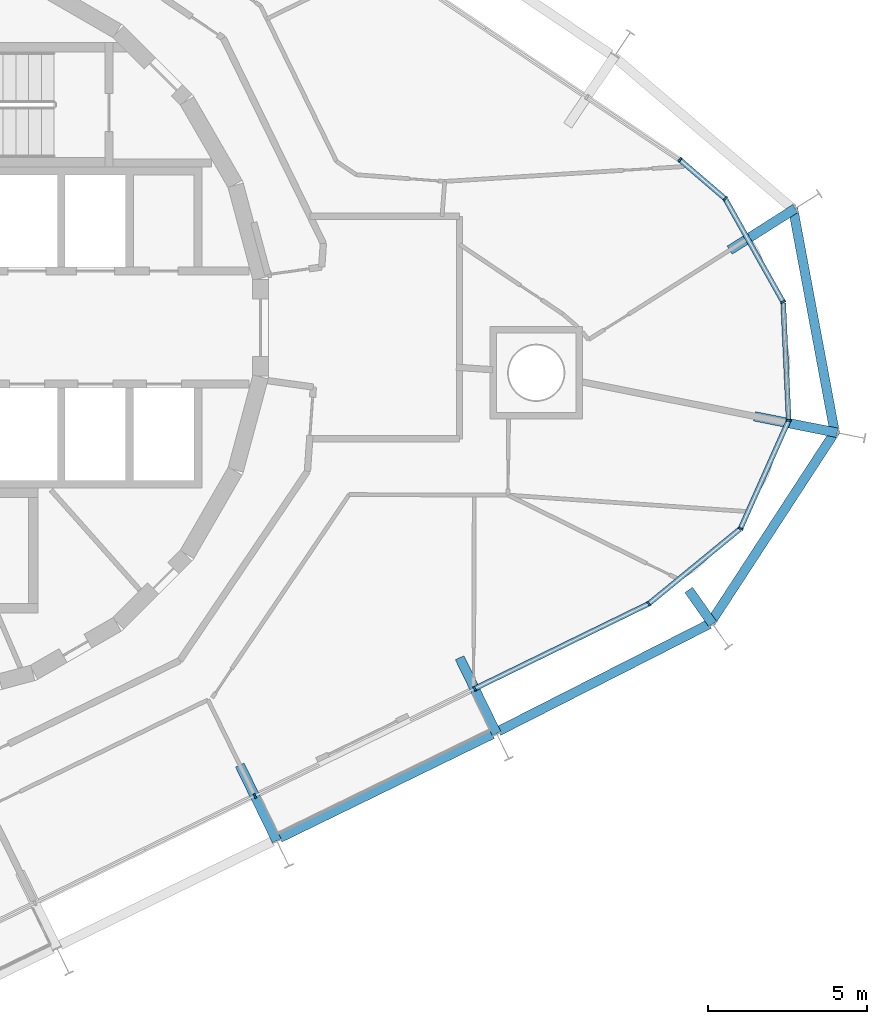
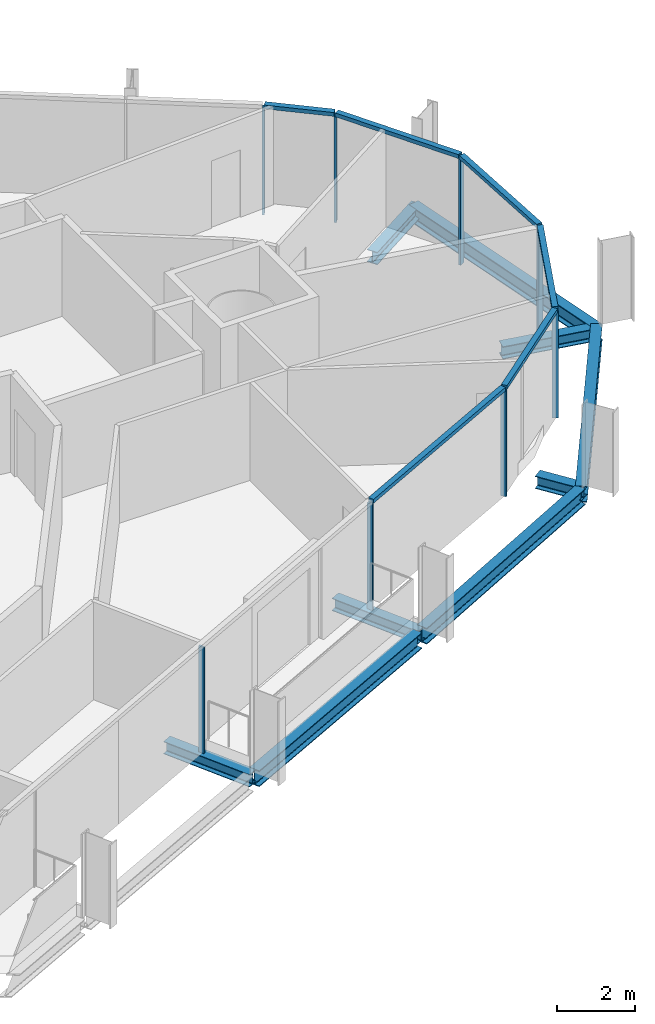
# One storey, part 5 of 17: 14 members, 9 beams, 2 elements without a shape of their own.
"""IFC4 building model written with IfcOpenShell, lengths in metres."""

from ifc_helpers import new_model, si_unit, direction, frame, origin, origin_2d, place, context, subcontext, project, spatial, rectangle, i_section, extrude, material, layer, layer_set, material_profile, profile_set, type_object, element, aggregate, save


model = new_model("IFC4")

# Units and contexts
model_context = context("Model", 3, precision=1e-05, world=origin(), true_north=direction((0.0, 1.0)))
body_context = subcontext(model_context, "Body", "Model", "MODEL_VIEW")
ifc_project = project(units=[si_unit("LENGTHUNIT", "METRE"), si_unit("AREAUNIT", "SQUARE_METRE"), si_unit("VOLUMEUNIT", "CUBIC_METRE"), si_unit("PLANEANGLEUNIT", "RADIAN"), si_unit("MASSUNIT", "GRAM", prefix="KILO")], contexts=[model_context])

# Site, building, storey
site_placement = place(None, origin())
site = spatial("IfcSite", under=ifc_project, at=site_placement, CompositionType="ELEMENT")
building_placement = place(site_placement, origin())
building = spatial("IfcBuilding", under=site, at=building_placement, Name="Spindle Arch Residences", CompositionType="ELEMENT")
storey_placement = place(building_placement, frame((0.0, 0.0, 216.39990234375)))
storey = spatial("IfcBuildingStorey", under=building, at=storey_placement, Name="L55", CompositionType="ELEMENT", Elevation=216.39990234375)

# Curtain wall, members
ifc_material_1 = material(Name="Aluminium bronze unitised frame with tinted glass", Category="aluminium")
ifc_layer_1 = layer(ifc_material_1, 0.159912109375)
ifc_layer_set_1 = layer_set([ifc_layer_1], Name="CW-D corner wall on the fillet arcs")
curtain_wall_type_1 = type_object("IfcCurtainWallType", Name="CW-D corner wall on the fillet arcs", PredefinedType="NOTDEFINED", material=ifc_layer_set_1)
curtain_wall_1_placement = place(storey_placement, origin())
curtain_wall_1 = element("IfcCurtainWall", 1, at=curtain_wall_1_placement, inside=storey, type_object=curtain_wall_type_1, Name="CW-D L55 run 1", PredefinedType="NOTDEFINED")
ifc_material_2 = material(Name="Aluminium bronze anodised mullion", Category="aluminium")
ifc_material_profile_1 = material_profile(ifc_material_2, rectangle(XDim=0.159912109375, YDim=0.06005859375, at=origin_2d()), Name="MU 60x160")
ifc_profile_set_1 = profile_set([ifc_material_profile_1], Name="Aluminium bronze anodised mullion")
member_type_1 = type_object("IfcMemberType", Name="Bronze mullion 60x160", PredefinedType="MULLION", material=ifc_profile_set_1)
member_1_placement = place(storey_placement, frame((18.377685546875, -11.353515625, -0.3798828125), z_axis=(0.0, 0.0, 1.0), x_axis=(-0.438371146789, 0.898794046299, 0.0)))
member_1 = element("IfcMember", 2, at=member_1_placement, type_object=member_type_1, Name="CW-D mullion 00", PredefinedType="MULLION", context=body_context, shape_type="SweptSolid", body=[
    extrude(rectangle(XDim=0.159912109375, YDim=0.06005859375, at=origin_2d()), origin(), (0.0, 0.0, 1.0), 3.31005859375),
])
member_2_placement = place(storey_placement, frame((23.85400390625, -8.6826171875, -0.3798828125), z_axis=(0.0, 0.0, 1.0), x_axis=(-0.633830963722, 0.773471595747, 0.0)))
member_2 = element("IfcMember", 3, at=member_2_placement, type_object=member_type_1, Name="CW-D mullion 01", PredefinedType="MULLION", context=body_context, shape_type="SweptSolid", body=[
    extrude(rectangle(XDim=0.159912109375, YDim=0.06005859375, at=origin_2d()), origin(), (0.0, 0.0, 1.0), 3.31005859375),
])
member_3_placement = place(storey_placement, frame((26.736572265625, -6.320556640625, -0.3798828125), z_axis=(0.0, 0.0, 1.0), x_axis=(-0.913545457934, 0.406736642422, 0.0)))
member_3 = element("IfcMember", 4, at=member_3_placement, type_object=member_type_1, Name="CW-D mullion 02", PredefinedType="MULLION", context=body_context, shape_type="SweptSolid", body=[
    extrude(rectangle(XDim=0.159912109375, YDim=0.06005859375, at=origin_2d()), origin(), (0.0, 0.0, 1.0), 3.31005859375),
])
member_4_placement = place(storey_placement, frame((28.252197265625, -2.916015625, -0.3798828125), z_axis=(0.0, 0.0, 1.0), x_axis=(-0.99891711126, -0.046525313877, 0.0)))
member_4 = element("IfcMember", 5, at=member_4_placement, type_object=member_type_1, Name="CW-D mullion 03", PredefinedType="MULLION", context=body_context, shape_type="SweptSolid", body=[
    extrude(rectangle(XDim=0.159912109375, YDim=0.06005859375, at=origin_2d()), origin(), (0.0, 0.0, 1.0), 3.31005859375),
])
member_5_placement = place(storey_placement, frame((28.078857421875, 0.806884765625, -0.3798828125), z_axis=(0.0, 0.0, 1.0), x_axis=(-0.871784414743, -0.489889716377, 0.0)))
member_5 = element("IfcMember", 6, at=member_5_placement, type_object=member_type_1, Name="CW-D mullion 04", PredefinedType="MULLION", context=body_context, shape_type="SweptSolid", body=[
    extrude(rectangle(XDim=0.159912109375, YDim=0.06005859375, at=origin_2d()), origin(), (0.0, 0.0, 1.0), 3.31005859375),
])
member_6_placement = place(storey_placement, frame((26.253173828125, 4.0556640625, -0.3798828125), z_axis=(0.0, 0.0, 1.0), x_axis=(-0.651657229382, -0.758513582867, 0.0)))
member_6 = element("IfcMember", 7, at=member_6_placement, type_object=member_type_1, Name="CW-D mullion 05", PredefinedType="MULLION", context=body_context, shape_type="SweptSolid", body=[
    extrude(rectangle(XDim=0.159912109375, YDim=0.06005859375, at=origin_2d()), origin(), (0.0, 0.0, 1.0), 3.31005859375),
])
member_7_placement = place(storey_placement, frame((24.830078125, 5.2783203125, -0.3798828125), z_axis=(0.0, 0.0, 1.0), x_axis=(-0.559192903471, -0.829037572555, 0.0)))
member_7 = element("IfcMember", 8, at=member_7_placement, type_object=member_type_1, Name="CW-D mullion 06", PredefinedType="MULLION", context=body_context, shape_type="SweptSolid", body=[
    extrude(rectangle(XDim=0.159912109375, YDim=0.06005859375, at=origin_2d()), origin(), (0.0, 0.0, 1.0), 3.31005859375),
])

# Curtain wall, member
ifc_material_3 = material(Name="Aluminium bronze unitised frame with tinted glass", Category="aluminium")
ifc_layer_2 = layer(ifc_material_3, 0.159912109375)
ifc_layer_set_2 = layer_set([ifc_layer_2], Name="CW-C typical residential unitised wall")
curtain_wall_type_2 = type_object("IfcCurtainWallType", Name="CW-C typical residential unitised wall", PredefinedType="NOTDEFINED", material=ifc_layer_set_2)
curtain_wall_2_placement = place(storey_placement, origin())
curtain_wall_2 = element("IfcCurtainWall", 9, at=curtain_wall_2_placement, inside=storey, type_object=curtain_wall_type_2, Name="CW-C L55 run 6", PredefinedType="NOTDEFINED")
member_8_placement = place(storey_placement, frame((11.46240234375, -14.726318359375, -0.3798828125), z_axis=(0.0, 0.0, 1.0), x_axis=(-0.438371146789, 0.898794046299, 0.0)))
member_8 = element("IfcMember", 10, at=member_8_placement, type_object=member_type_1, Name="CW-C mullion 00", PredefinedType="MULLION", context=body_context, shape_type="SweptSolid", body=[
    extrude(rectangle(XDim=0.159912109375, YDim=0.06005859375, at=origin_2d()), origin(), (0.0, 0.0, 1.0), 3.31005859375),
])
aggregate(curtain_wall_2, [member_8])

# Member
ifc_material_4 = material(Name="Aluminium bronze anodised transom", Category="aluminium")
ifc_material_profile_2 = material_profile(ifc_material_4, rectangle(XDim=0.159912109375, YDim=0.1201171875, at=origin_2d()), Name="TR 120x160")
ifc_profile_set_2 = profile_set([ifc_material_profile_2], Name="Aluminium bronze anodised transom")
member_type_2 = type_object("IfcMemberType", Name="Bronze transom 120x160", PredefinedType="USERDEFINED", material=ifc_profile_set_2)
member_9_placement = place(storey_placement, frame((18.404541015625, -11.340576171875, 2.989990234375), z_axis=(0.898786724344, 0.438386158704, 0.0), x_axis=(-0.438386158704, 0.898786724344, 0.0)))
member_9 = element("IfcMember", 11, at=member_9_placement, type_object=member_type_2, Name="CW-D transom 00", ObjectType="TRANSOM", PredefinedType="USERDEFINED", context=body_context, shape_type="SweptSolid", body=[
    extrude(rectangle(XDim=0.159912109375, YDim=0.1201171875, at=origin_2d()), origin(), (0.0, 0.0, 1.0), 6.032958984375),
])

member_10_placement = place(storey_placement, frame((23.877197265625, -8.66357421875, 2.989990234375), z_axis=(0.773494307947, 0.633803246737, 0.0), x_axis=(-0.633803246737, 0.773494307947, 0.0)))
member_10 = element("IfcMember", 12, at=member_10_placement, type_object=member_type_2, Name="CW-D transom 01", ObjectType="TRANSOM", PredefinedType="USERDEFINED", context=body_context, shape_type="SweptSolid", body=[
    extrude(rectangle(XDim=0.159912109375, YDim=0.1201171875, at=origin_2d()), origin(), (0.0, 0.0, 1.0), 3.666748046875),
])

member_11_placement = place(storey_placement, frame((26.748779296875, -6.29296875, 2.989990234375), z_axis=(0.406706770356, 0.913558757249, 0.0), x_axis=(-0.913558757249, 0.406706770356, 0.0)))
member_11 = element("IfcMember", 13, at=member_11_placement, type_object=member_type_2, Name="CW-D transom 02", ObjectType="TRANSOM", PredefinedType="USERDEFINED", context=body_context, shape_type="SweptSolid", body=[
    extrude(rectangle(XDim=0.159912109375, YDim=0.1201171875, at=origin_2d()), origin(), (0.0, 0.0, 1.0), 3.66650390625),
])

member_12_placement = place(storey_placement, frame((28.2509765625, -2.885986328125, 2.989990234375), z_axis=(-0.046540197037, 0.998916417955, 0.0), x_axis=(-0.998916417955, -0.046540197037, 0.0)))
member_12 = element("IfcMember", 14, at=member_12_placement, type_object=member_type_2, Name="CW-D transom 03", ObjectType="TRANSOM", PredefinedType="USERDEFINED", context=body_context, shape_type="SweptSolid", body=[
    extrude(rectangle(XDim=0.159912109375, YDim=0.1201171875, at=origin_2d()), origin(), (0.0, 0.0, 1.0), 3.666748046875),
])

member_13_placement = place(storey_placement, frame((28.064208984375, 0.8330078125, 2.989990234375), z_axis=(-0.489916630118, 0.871769290314, 0.0), x_axis=(-0.871769290314, -0.489916630118, 0.0)))
member_13 = element("IfcMember", 15, at=member_13_placement, type_object=member_type_2, Name="CW-D transom 04", ObjectType="TRANSOM", PredefinedType="USERDEFINED", context=body_context, shape_type="SweptSolid", body=[
    extrude(rectangle(XDim=0.159912109375, YDim=0.1201171875, at=origin_2d()), origin(), (0.0, 0.0, 1.0), 3.666748046875),
])

member_14_placement = place(storey_placement, frame((26.23046875, 4.0751953125, 2.989990234375), z_axis=(-0.758458936913, 0.651720830584, 0.0), x_axis=(-0.651720830584, -0.758458936913, 0.0)))
member_14 = element("IfcMember", 16, at=member_14_placement, type_object=member_type_2, Name="CW-D transom 05", ObjectType="TRANSOM", PredefinedType="USERDEFINED", context=body_context, shape_type="SweptSolid", body=[
    extrude(rectangle(XDim=0.159912109375, YDim=0.1201171875, at=origin_2d()), origin(), (0.0, 0.0, 1.0), 1.816162109375),
])

aggregate(curtain_wall_1, [member_1, member_9, member_2, member_10, member_3, member_11, member_4, member_12, member_5, member_13, member_6, member_14, member_7])

# Beams
ifc_material_5 = material(Name="Steel S460ML, intumescent coating R 120", Category="steel")
ifc_material_profile_3 = material_profile(ifc_material_5, i_section(OverallWidth=0.300048828125, OverallDepth=0.5, WebThickness=0.014404296875, FlangeThickness=0.028076171875, FilletRadius=0.027099609375, at=origin_2d()), Name="HEB 500")
ifc_profile_set_3 = profile_set([ifc_material_profile_3], Name="Steel S460ML, intumescent coating R 120")
beam_type_1 = type_object("IfcBeamType", Name="Exoskeleton edge beam HEB 500", PredefinedType="BEAM", material=ifc_profile_set_3)
beam_1_placement = place(storey_placement, frame((12.25, -16.04443359375, -0.6298828125), z_axis=(0.898804110297, 0.438350511935, 0.0), x_axis=(-0.438350511935, 0.898804110297, 0.0)))
element("IfcBeam", 17, at=beam_1_placement, inside=storey, type_object=beam_type_1, Name="Exoskeleton edge beam 1", PredefinedType="BEAM", context=body_context, shape_type="SweptSolid", body=[
    extrude(i_section(OverallWidth=0.300048828125, OverallDepth=0.5, WebThickness=0.014404296875, FlangeThickness=0.028076171875, FilletRadius=0.027099609375, at=origin_2d()), origin(), (0.0, 0.0, 1.0), 7.43359375),
])
beam_2_placement = place(storey_placement, frame((19.1298828125, -12.688232421875, -0.6298828125), z_axis=(0.891456240157, 0.453106799646, 0.0), x_axis=(-0.453106799646, 0.891456240157, 0.0)))
element("IfcBeam", 18, at=beam_2_placement, inside=storey, type_object=beam_type_1, Name="Exoskeleton edge beam 2", PredefinedType="BEAM", context=body_context, shape_type="SweptSolid", body=[
    extrude(i_section(OverallWidth=0.300048828125, OverallDepth=0.5, WebThickness=0.014404296875, FlangeThickness=0.028076171875, FilletRadius=0.027099609375, at=origin_2d()), origin(), (0.0, 0.0, 1.0), 7.427978515625),
])
beam_3_placement = place(storey_placement, frame((25.777099609375, -9.30908203125, -0.6298828125), z_axis=(0.546059217501, 0.837746579212, 0.0), x_axis=(-0.837746579212, 0.546059217501, 0.0)))
element("IfcBeam", 19, at=beam_3_placement, inside=storey, type_object=beam_type_1, Name="Exoskeleton edge beam 3", PredefinedType="BEAM", context=body_context, shape_type="SweptSolid", body=[
    extrude(i_section(OverallWidth=0.300048828125, OverallDepth=0.5, WebThickness=0.014404296875, FlangeThickness=0.028076171875, FilletRadius=0.027099609375, at=origin_2d()), origin(), (0.0, 0.0, 1.0), 7.249267578125),
])
beam_4_placement = place(storey_placement, frame((29.71142578125, -3.356689453125, -0.6298828125), z_axis=(-0.183047966733, 0.983103983246, 0.0), x_axis=(-0.983103983246, -0.183047966733, 0.0)))
element("IfcBeam", 20, at=beam_4_placement, inside=storey, type_object=beam_type_1, Name="Exoskeleton edge beam 4", PredefinedType="BEAM", context=body_context, shape_type="SweptSolid", body=[
    extrude(i_section(OverallWidth=0.300048828125, OverallDepth=0.5, WebThickness=0.014404296875, FlangeThickness=0.028076171875, FilletRadius=0.027099609375, at=origin_2d()), origin(), (0.0, 0.0, 1.0), 7.2490234375),
])
ifc_material_6 = material(Name="Steel S460ML, intumescent coating R 120", Category="steel")
ifc_material_profile_4 = material_profile(ifc_material_6, i_section(OverallWidth=0.300048828125, OverallDepth=0.389892578125, WebThickness=0.010986328125, FlangeThickness=0.01904296875, FilletRadius=0.027099609375, at=origin_2d()), Name="HEA 400")
ifc_profile_set_4 = profile_set([ifc_material_profile_4], Name="Steel S460ML, intumescent coating R 120")
beam_type_2 = type_object("IfcBeamType", Name="Floor outrigger HEA 400", PredefinedType="BEAM", material=ifc_profile_set_4)
beam_5_placement = place(storey_placement, frame((12.150634765625, -16.137451171875, -0.574951171875), z_axis=(-0.438347395329, 0.898805630272, 0.0), x_axis=(-0.898805630272, -0.438347395329, 0.0)))
element("IfcBeam", 21, at=beam_5_placement, inside=storey, type_object=beam_type_2, Name="Floor outrigger 1", PredefinedType="BEAM", context=body_context, shape_type="SweptSolid", body=[
    extrude(i_section(OverallWidth=0.300048828125, OverallDepth=0.389892578125, WebThickness=0.010986328125, FlangeThickness=0.01904296875, FilletRadius=0.027099609375, at=origin_2d()), origin(), (0.0, 0.0, 1.0), 2.64990234375),
])
beam_6_placement = place(storey_placement, frame((19.06591796875, -12.7646484375, -0.574951171875), z_axis=(-0.438421816972, 0.898769331032, 0.0), x_axis=(-0.898769331032, -0.438421816972, 0.0)))
element("IfcBeam", 22, at=beam_6_placement, inside=storey, type_object=beam_type_2, Name="Floor outrigger 2", PredefinedType="BEAM", context=body_context, shape_type="SweptSolid", body=[
    extrude(i_section(OverallWidth=0.300048828125, OverallDepth=0.389892578125, WebThickness=0.010986328125, FlangeThickness=0.01904296875, FilletRadius=0.027099609375, at=origin_2d()), origin(), (0.0, 0.0, 1.0), 2.650146484375),
])
beam_7_placement = place(storey_placement, frame((25.858154296875, -9.3173828125, -0.574951171875), z_axis=(-0.574827287121, 0.818274764356, 0.0), x_axis=(-0.818274764356, -0.574827287121, 0.0)))
element("IfcBeam", 23, at=beam_7_placement, inside=storey, type_object=beam_type_2, Name="Floor outrigger 3", PredefinedType="BEAM", context=body_context, shape_type="SweptSolid", body=[
    extrude(i_section(OverallWidth=0.300048828125, OverallDepth=0.389892578125, WebThickness=0.010986328125, FlangeThickness=0.01904296875, FilletRadius=0.027099609375, at=origin_2d()), origin(), (0.0, 0.0, 1.0), 1.3076171875),
])
beam_8_placement = place(storey_placement, frame((29.775634765625, -3.306884765625, -0.574951171875), z_axis=(-0.980704498332, 0.195496002392, 0.0), x_axis=(-0.195496002392, -0.980704498332, 0.0)))
element("IfcBeam", 24, at=beam_8_placement, inside=storey, type_object=beam_type_2, Name="Floor outrigger 4", PredefinedType="BEAM", context=body_context, shape_type="SweptSolid", body=[
    extrude(i_section(OverallWidth=0.300048828125, OverallDepth=0.389892578125, WebThickness=0.010986328125, FlangeThickness=0.01904296875, FilletRadius=0.027099609375, at=origin_2d()), origin(), (0.0, 0.0, 1.0), 2.64990234375),
])
beam_9_placement = place(storey_placement, frame((28.46240234375, 3.746337890625, -0.574951171875), z_axis=(-0.844575652312, -0.535436240388, 0.0), x_axis=(0.535436240388, -0.844575652312, 0.0)))
element("IfcBeam", 25, at=beam_9_placement, inside=storey, type_object=beam_type_2, Name="Floor outrigger 5", PredefinedType="BEAM", context=body_context, shape_type="SweptSolid", body=[
    extrude(i_section(OverallWidth=0.300048828125, OverallDepth=0.389892578125, WebThickness=0.010986328125, FlangeThickness=0.01904296875, FilletRadius=0.027099609375, at=origin_2d()), origin(), (0.0, 0.0, 1.0), 2.448974609375),
])

save(model, "model.ifc")
